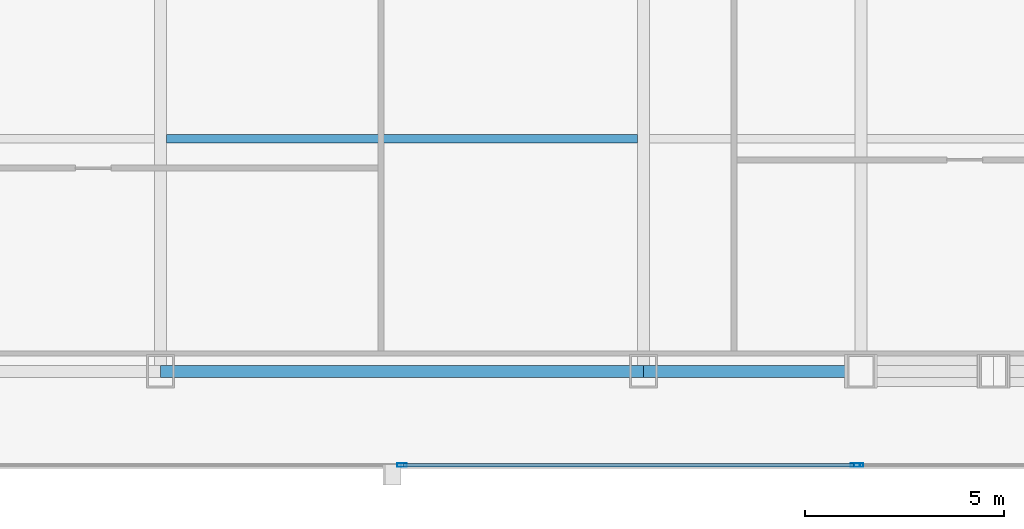
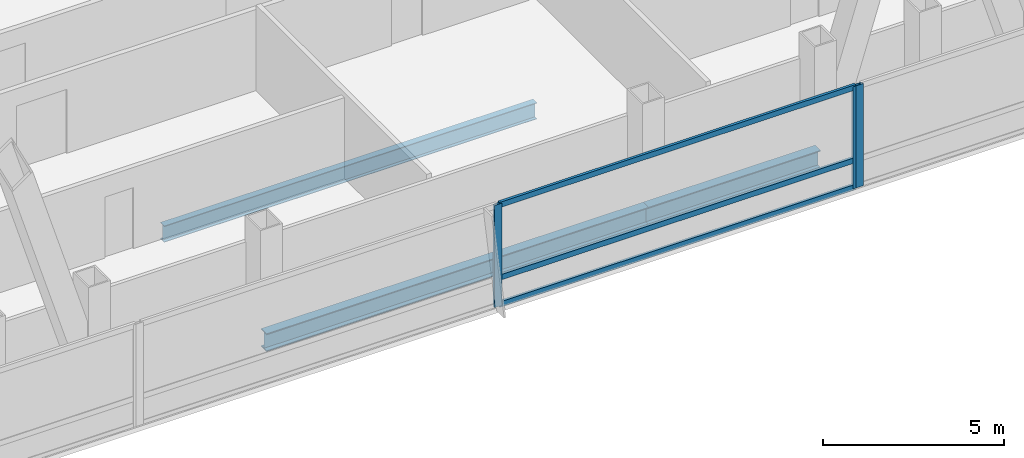
# One storey, part 13 of 33: 6 members, 3 beams, 2 elements without a shape of their own.
"""IFC4 building model written with IfcOpenShell, lengths in metres."""

from ifc_helpers import new_model, si_unit, direction, frame, origin, origin_2d, place, context, subcontext, project, spatial, hollow_rectangle, i_section, extrude, material, material_profile, profile_set, type_object, element, aggregate, save


model = new_model("IFC4")

# Units and contexts
model_context = context("Model", 3, precision=1e-05, world=origin(), true_north=direction((0.0, 1.0)))
body_context = subcontext(model_context, "Body", "Model", "MODEL_VIEW")
ifc_project = project(units=[si_unit("LENGTHUNIT", "METRE"), si_unit("AREAUNIT", "SQUARE_METRE"), si_unit("VOLUMEUNIT", "CUBIC_METRE"), si_unit("PLANEANGLEUNIT", "RADIAN"), si_unit("MASSUNIT", "GRAM", prefix="KILO")], contexts=[model_context])

# Site, building, storey
site_placement = place(None, origin())
site = spatial("IfcSite", under=ifc_project, at=site_placement, CompositionType="ELEMENT")
building_placement = place(site_placement, origin())
building = spatial("IfcBuilding", under=site, at=building_placement, Name="Khoronbel Lancet Exchange", CompositionType="ELEMENT")
storey_placement = place(building_placement, frame((0.0, 0.0, 118.199951171875)))
storey = spatial("IfcBuildingStorey", under=building, at=storey_placement, Name="L28", CompositionType="ELEMENT", Elevation=118.199951171875)

# Beams
ifc_material_1 = material(Name="Steel S355", Category="steel")
ifc_material_profile_1 = material_profile(ifc_material_1, i_section(OverallWidth=0.2099609375, OverallDepth=0.550048828125, WebThickness=0.010986328125, FlangeThickness=0.01708984375, at=origin_2d()), Name="IPE 550")
ifc_profile_set_1 = profile_set([ifc_material_profile_1], Name="Steel S355")
beam_type_1 = type_object("IfcBeamType", Name="BM-BJ2", PredefinedType="JOIST", material=ifc_profile_set_1)
beam_1_placement = place(storey_placement, frame((30.52490234375, 16.0, -0.43505859375), z_axis=(1.0, 0.0, 0.0), x_axis=(0.0, 1.0, 0.0)))
element("IfcBeam", 1, at=beam_1_placement, inside=storey, type_object=beam_type_1, Name="Level L28 secondary composite joist J03", PredefinedType="JOIST", context=body_context, shape_type="SweptSolid", body=[
    extrude(i_section(OverallWidth=0.2099609375, OverallDepth=0.550048828125, WebThickness=0.010986328125, FlangeThickness=0.01708984375, at=origin_2d()), origin(), (0.0, 0.0, 1.0), 11.85009765625),
])
ifc_material_profile_2 = material_profile(ifc_material_1, i_section(OverallWidth=0.300048828125, OverallDepth=0.60009765625, WebThickness=0.015380859375, FlangeThickness=0.030029296875, at=origin_2d()), Name="HEB 600")
ifc_profile_set_2 = profile_set([ifc_material_profile_2], Name="Steel S355")
beam_type_2 = type_object("IfcBeamType", Name="BM-BSP2", PredefinedType="SPANDREL", material=ifc_profile_set_2)
beam_2_placement = place(storey_placement, frame((30.375, 10.14990234375, -0.4599609375), z_axis=(1.0, 0.0, 0.0), x_axis=(0.0, 1.0, 0.0)))
element("IfcBeam", 2, at=beam_2_placement, inside=storey, type_object=beam_type_2, Name="Level L28 perimeter spandrel beam SP05", PredefinedType="SPANDREL", context=body_context, shape_type="SweptSolid", body=[
    extrude(i_section(OverallWidth=0.300048828125, OverallDepth=0.60009765625, WebThickness=0.015380859375, FlangeThickness=0.030029296875, at=origin_2d()), origin(), (0.0, 0.0, 1.0), 12.14990234375),
])
beam_3_placement = place(storey_placement, frame((42.52490234375, 10.14990234375, -0.4599609375), z_axis=(1.0, 0.0, 0.0), x_axis=(0.0, 1.0, 0.0)))
element("IfcBeam", 3, at=beam_3_placement, inside=storey, type_object=beam_type_2, Name="Level L28 perimeter spandrel beam SP06", PredefinedType="SPANDREL", context=body_context, shape_type="SweptSolid", body=[
    extrude(i_section(OverallWidth=0.300048828125, OverallDepth=0.60009765625, WebThickness=0.015380859375, FlangeThickness=0.030029296875, at=origin_2d()), origin(), (0.0, 0.0, 1.0), 5.47509765625),
])

# Curtain wall, members
ifc_material_2 = material(Name="Low-E Solar Control Insulating Glass", Category="glass")
curtain_wall_type = type_object("IfcCurtainWallType", Name="CW-2", PredefinedType="NOTDEFINED", material=ifc_material_2)
curtain_wall_1_placement = place(storey_placement, origin())
curtain_wall_1 = element("IfcCurtainWall", 4, at=curtain_wall_1_placement, inside=storey, type_object=curtain_wall_type, Name="Unitised curtain wall CW-L28-SCV", PredefinedType="NOTDEFINED")
ifc_material_3 = material(Name="Bronze-Anodised Aluminium 6063-T6", Category="aluminium")
ifc_material_profile_3 = material_profile(ifc_material_3, hollow_rectangle(XDim=0.0849609375, YDim=0.239990234375, WallThickness=0.006103515625, at=origin_2d()), Name="ALU MULLION 85x240")
ifc_profile_set_3 = profile_set([ifc_material_profile_3], Name="Bronze-Anodised Aluminium 6063-T6")
member_type_1 = type_object("IfcMemberType", Name="MEM-CWM1", PredefinedType="MULLION", material=ifc_profile_set_3)
member_1_placement = place(storey_placement, frame((36.449951171875, 7.7900390625, 0.0), z_axis=(0.0, 0.0, 1.0), x_axis=(0.0, 1.0, 0.0)))
member_1 = element("IfcMember", 5, at=member_1_placement, type_object=member_type_1, Name="CW2 mullion 2", PredefinedType="MULLION", context=body_context, shape_type="SweptSolid", body=[
    extrude(hollow_rectangle(XDim=0.0849609375, YDim=0.239990234375, WallThickness=0.006103515625, at=origin_2d()), origin(), (0.0, 0.0, 1.0), 3.43994140625),
])
member_2_placement = place(storey_placement, frame((47.857421875, 7.7900390625, 0.0), z_axis=(0.0, 0.0, 1.0), x_axis=(0.0, 1.0, 0.0)))
member_2 = element("IfcMember", 6, at=member_2_placement, type_object=member_type_1, Name="CW2 mullion 3", PredefinedType="MULLION", context=body_context, shape_type="SweptSolid", body=[
    extrude(hollow_rectangle(XDim=0.0849609375, YDim=0.239990234375, WallThickness=0.006103515625, at=origin_2d()), origin(), (0.0, 0.0, 1.0), 3.43994140625),
])

# Curtain wall, member
curtain_wall_2_placement = place(storey_placement, origin())
curtain_wall_2 = element("IfcCurtainWall", 7, at=curtain_wall_2_placement, inside=storey, type_object=curtain_wall_type, Name="Unitised curtain wall CW-L28-SEB", PredefinedType="NOTDEFINED")
member_3_placement = place(storey_placement, frame((47.9423828125, 7.7900390625, 0.0), z_axis=(0.0, 0.0, 1.0), x_axis=(0.0, 1.0, 0.0)))
member_3 = element("IfcMember", 8, at=member_3_placement, type_object=member_type_1, Name="CW2 mullion 1", PredefinedType="MULLION", context=body_context, shape_type="SweptSolid", body=[
    extrude(hollow_rectangle(XDim=0.0849609375, YDim=0.239990234375, WallThickness=0.006103515625, at=origin_2d()), origin(), (0.0, 0.0, 1.0), 3.43994140625),
])
aggregate(curtain_wall_2, [member_3])

# Member
ifc_material_profile_4 = material_profile(ifc_material_3, hollow_rectangle(XDim=0.0849609375, YDim=0.179931640625, WallThickness=0.0048828125, at=origin_2d()), Name="ALU TRANSOM 85x180")
ifc_profile_set_4 = profile_set([ifc_material_profile_4], Name="Bronze-Anodised Aluminium 6063-T6")
member_type_2 = type_object("IfcMemberType", Name="MEM-CWT1", PredefinedType="USERDEFINED", material=ifc_profile_set_4)
member_4_placement = place(storey_placement, frame((36.492431640625, 7.7900390625, 0.04248046875), z_axis=(1.0, 0.0, 0.0), x_axis=(0.0, 1.0, 0.0)))
member_4 = element("IfcMember", 9, at=member_4_placement, type_object=member_type_2, Name="CW2 transom 2.1", ObjectType="TRANSOM", PredefinedType="USERDEFINED", context=body_context, shape_type="SweptSolid", body=[
    extrude(hollow_rectangle(XDim=0.0849609375, YDim=0.179931640625, WallThickness=0.0048828125, at=origin_2d()), origin(), (0.0, 0.0, 1.0), 11.322509765625),
])

member_5_placement = place(storey_placement, frame((36.492431640625, 7.7900390625, 0.949951171875), z_axis=(1.0, 0.0, 0.0), x_axis=(0.0, 1.0, 0.0)))
member_5 = element("IfcMember", 10, at=member_5_placement, type_object=member_type_2, Name="CW2 transom 2.2", ObjectType="TRANSOM", PredefinedType="USERDEFINED", context=body_context, shape_type="SweptSolid", body=[
    extrude(hollow_rectangle(XDim=0.0849609375, YDim=0.179931640625, WallThickness=0.0048828125, at=origin_2d()), origin(), (0.0, 0.0, 1.0), 11.322509765625),
])

member_6_placement = place(storey_placement, frame((36.492431640625, 7.7900390625, 3.3974609375), z_axis=(1.0, 0.0, 0.0), x_axis=(0.0, 1.0, 0.0)))
member_6 = element("IfcMember", 11, at=member_6_placement, type_object=member_type_2, Name="CW2 transom 2.3", ObjectType="TRANSOM", PredefinedType="USERDEFINED", context=body_context, shape_type="SweptSolid", body=[
    extrude(hollow_rectangle(XDim=0.0849609375, YDim=0.179931640625, WallThickness=0.0048828125, at=origin_2d()), origin(), (0.0, 0.0, 1.0), 11.322509765625),
])

aggregate(curtain_wall_1, [member_1, member_2, member_4, member_5, member_6])

save(model, "model.ifc")
